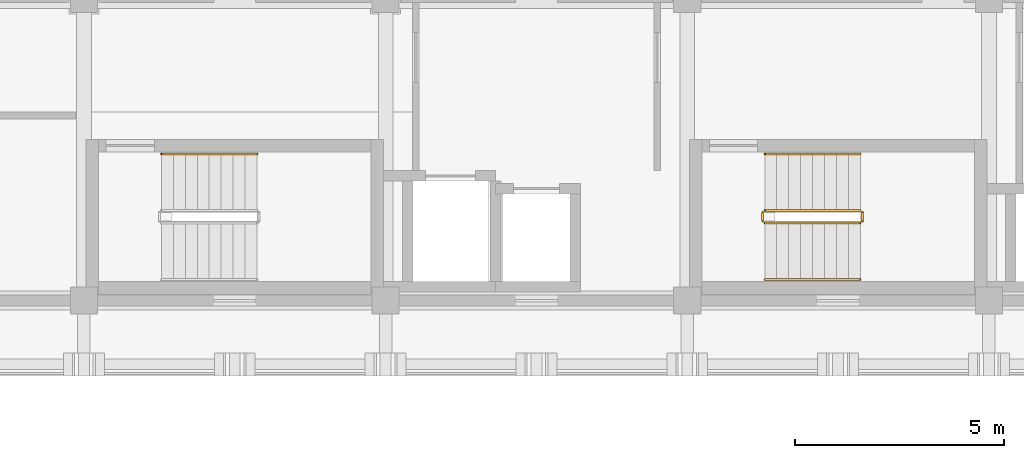
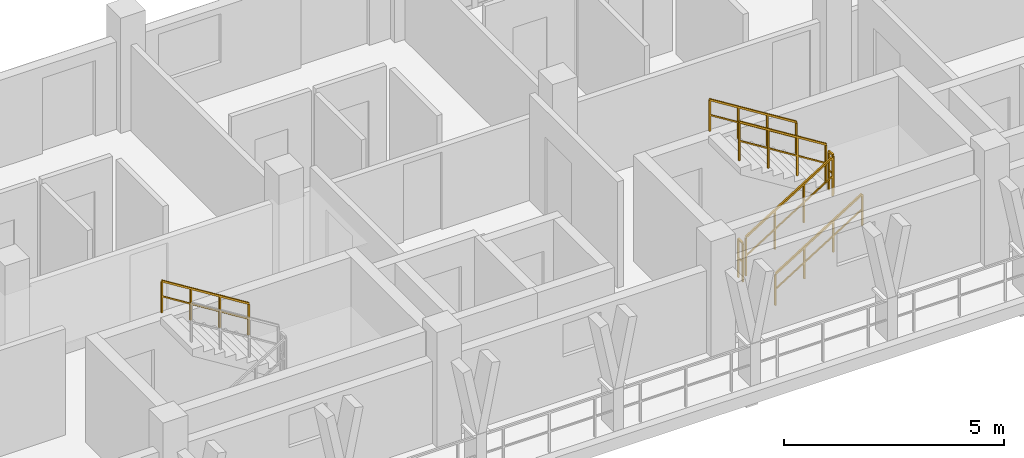
# One storey, part 70 of 78: 7 railings.
"""IFC4 building model written with IfcOpenShell, lengths in metres."""

from ifc_helpers import new_model, si_unit, direction, frame, origin, origin_2d, place, context, subcontext, project, spatial, rectangle, extrude, material, type_object, element, save


model = new_model("IFC4")

# Units and contexts
model_context = context("Model", 3, precision=1e-05, world=origin(), true_north=direction((0.0, 1.0)))
body_context = subcontext(model_context, "Body", "Model", "MODEL_VIEW")
ifc_project = project(units=[si_unit("LENGTHUNIT", "METRE"), si_unit("AREAUNIT", "SQUARE_METRE"), si_unit("VOLUMEUNIT", "CUBIC_METRE"), si_unit("PLANEANGLEUNIT", "RADIAN"), si_unit("MASSUNIT", "GRAM", prefix="KILO")], contexts=[model_context])

# Site, building, storey
site_placement = place(None, origin())
site = spatial("IfcSite", under=ifc_project, at=site_placement, CompositionType="ELEMENT")
building_placement = place(site_placement, origin())
building = spatial("IfcBuilding", under=site, at=building_placement, Name="Suanplinth Sawtooth Commons", CompositionType="ELEMENT")
storey_placement = place(building_placement, frame((0.0, 0.0, 15.39990234375)))
storey = spatial("IfcBuildingStorey", under=building, at=storey_placement, Name="L04", CompositionType="ELEMENT", Elevation=15.39990234375)

# Railings
ifc_material = material(Name="Stainless steel Grade 304", Category="steel")
railing_type_1 = type_object("IfcRailingType", Name="GR-04", PredefinedType="GUARDRAIL", material=ifc_material)
railing_1_placement = place(storey_placement, frame((59.449951171875, 109.85009765625, 0.177978515625)))
element("IfcRailing", 1, at=railing_1_placement, inside=storey, type_object=railing_type_1, Name="L04 ST-N2 Guard 1", PredefinedType="GUARDRAIL", context=body_context, shape_type="SweptSolid", body=[
    extrude(rectangle(XDim=0.048095703125, YDim=0.048095703125, at=origin_2d()), frame((0.0, 0.0, 1.076171875), z_axis=(0.848482842525, 0.0, 0.529222888715), x_axis=(0.0, 1.0, 0.0)), (0.0, 0.0, 1.0), 2.687255859375),
    extrude(rectangle(XDim=0.03369140625, YDim=0.03369140625, at=origin_2d()), frame((0.0, 0.0, 0.550048828125), z_axis=(0.848482842525, 0.0, 0.529222888715), x_axis=(0.0, 1.0, 0.0)), (0.0, 0.0, 1.0), 2.687255859375),
    extrude(rectangle(XDim=0.0419921875, YDim=0.0419921875, at=origin_2d()), origin(), (0.0, 0.0, 1.0), 1.052001953125),
    extrude(rectangle(XDim=0.0419921875, YDim=0.0419921875, at=origin_2d()), frame((0.760009765625, 0.0, 0.47412109375)), (0.0, 0.0, 1.0), 1.052001953125),
    extrude(rectangle(XDim=0.0419921875, YDim=0.0419921875, at=origin_2d()), frame((1.52001953125, 0.0, 0.947998046875)), (0.0, 0.0, 1.0), 1.052001953125),
    extrude(rectangle(XDim=0.0419921875, YDim=0.0419921875, at=origin_2d()), frame((2.280029296875, 0.0, 1.422119140625)), (0.0, 0.0, 1.0), 1.052001953125),
])
railing_2_placement = place(storey_placement, frame((61.780029296875, 109.89990234375, 1.60009765625)))
element("IfcRailing", 2, at=railing_2_placement, inside=storey, type_object=railing_type_1, Name="L04 ST-N2 Guard 2", PredefinedType="GUARDRAIL", context=body_context, shape_type="SweptSolid", body=[
    extrude(rectangle(XDim=0.048095703125, YDim=0.048095703125, at=origin_2d()), frame((0.0, 0.0, 1.076171875), z_axis=(0.0, 1.0, 0.0), x_axis=(-1.0, 0.0, 0.0)), (0.0, 0.0, 1.0), 0.2001953125),
    extrude(rectangle(XDim=0.03369140625, YDim=0.03369140625, at=origin_2d()), frame((0.0, 0.0, 0.550048828125), z_axis=(0.0, 1.0, 0.0), x_axis=(-1.0, 0.0, 0.0)), (0.0, 0.0, 1.0), 0.2001953125),
    extrude(rectangle(XDim=0.0419921875, YDim=0.0419921875, at=origin_2d()), origin(), (0.0, 0.0, 1.0), 1.052001953125),
    extrude(rectangle(XDim=0.0419921875, YDim=0.0419921875, at=origin_2d()), frame((0.0, 0.2001953125, 0.0)), (0.0, 0.0, 1.0), 1.052001953125),
])
railing_3_placement = place(storey_placement, frame((61.72998046875, 110.14990234375, 1.77783203125)))
element("IfcRailing", 3, at=railing_3_placement, inside=storey, type_object=railing_type_1, Name="L04 ST-N2 Guard 3", PredefinedType="GUARDRAIL", context=body_context, shape_type="SweptSolid", body=[
    extrude(rectangle(XDim=0.048095703125, YDim=0.048095703125, at=origin_2d()), frame((0.0, 0.0, 1.076171875), z_axis=(-0.848442045328, 0.0, 0.529288291689), x_axis=(0.0, -1.0, 0.0)), (0.0, 0.0, 1.0), 2.687255859375),
    extrude(rectangle(XDim=0.03369140625, YDim=0.03369140625, at=origin_2d()), frame((0.0, 0.0, 0.550048828125), z_axis=(-0.848442045328, 0.0, 0.529288291689), x_axis=(0.0, -1.0, 0.0)), (0.0, 0.0, 1.0), 2.687255859375),
    extrude(rectangle(XDim=0.0419921875, YDim=0.0419921875, at=origin_2d()), origin(), (0.0, 0.0, 1.0), 1.052001953125),
    extrude(rectangle(XDim=0.0419921875, YDim=0.0419921875, at=origin_2d()), frame((-0.760009765625, 0.0, 0.47412109375)), (0.0, 0.0, 1.0), 1.052001953125),
    extrude(rectangle(XDim=0.0419921875, YDim=0.0419921875, at=origin_2d()), frame((-1.52001953125, 0.0, 0.9482421875)), (0.0, 0.0, 1.0), 1.052001953125),
    extrude(rectangle(XDim=0.0419921875, YDim=0.0419921875, at=origin_2d()), frame((-2.280029296875, 0.0, 1.42236328125)), (0.0, 0.0, 1.0), 1.052001953125),
])
railing_4_placement = place(storey_placement, frame((59.39990234375, 109.89990234375, 0.0)))
element("IfcRailing", 4, at=railing_4_placement, inside=storey, type_object=railing_type_1, Name="L04 ST-N2 Guard 4", PredefinedType="GUARDRAIL", context=body_context, shape_type="SweptSolid", body=[
    extrude(rectangle(XDim=0.048095703125, YDim=0.048095703125, at=origin_2d()), frame((0.0, 0.0, 1.076171875), z_axis=(0.0, 1.0, 0.0), x_axis=(-1.0, 0.0, 0.0)), (0.0, 0.0, 1.0), 0.2001953125),
    extrude(rectangle(XDim=0.03369140625, YDim=0.03369140625, at=origin_2d()), frame((0.0, 0.0, 0.550048828125), z_axis=(0.0, 1.0, 0.0), x_axis=(-1.0, 0.0, 0.0)), (0.0, 0.0, 1.0), 0.2001953125),
    extrude(rectangle(XDim=0.0419921875, YDim=0.0419921875, at=origin_2d()), origin(), (0.0, 0.0, 1.0), 1.052001953125),
    extrude(rectangle(XDim=0.0419921875, YDim=0.0419921875, at=origin_2d()), frame((0.0, 0.2001953125, 0.0)), (0.0, 0.0, 1.0), 1.052001953125),
])
railing_type_2 = type_object("IfcRailingType", Name="HR-01", PredefinedType="HANDRAIL", material=ifc_material)
railing_5_placement = place(storey_placement, frame((47.330078125, 111.5, 1.77783203125)))
element("IfcRailing", 5, at=railing_5_placement, inside=storey, type_object=railing_type_2, Name="L04 ST-N1 Handrail 2", PredefinedType="HANDRAIL", context=body_context, shape_type="SweptSolid", body=[
    extrude(rectangle(XDim=0.048095703125, YDim=0.048095703125, at=origin_2d()), frame((0.0, 0.0, 0.8759765625), z_axis=(-0.848442045328, 0.0, 0.529288291689), x_axis=(0.0, -1.0, 0.0)), (0.0, 0.0, 1.0), 2.687255859375),
    extrude(rectangle(XDim=0.03369140625, YDim=0.03369140625, at=origin_2d()), frame((0.0, 0.0, 0.449951171875), z_axis=(-0.848442045328, 0.0, 0.529288291689), x_axis=(0.0, -1.0, 0.0)), (0.0, 0.0, 1.0), 2.687255859375),
    extrude(rectangle(XDim=0.0419921875, YDim=0.0419921875, at=origin_2d()), origin(), (0.0, 0.0, 1.0), 0.851806640625),
    extrude(rectangle(XDim=0.0419921875, YDim=0.0419921875, at=origin_2d()), frame((-0.760009765625, 0.0, 0.47412109375)), (0.0, 0.0, 1.0), 0.851806640625),
    extrude(rectangle(XDim=0.0419921875, YDim=0.0419921875, at=origin_2d()), frame((-1.52001953125, 0.0, 0.9482421875)), (0.0, 0.0, 1.0), 0.851806640625),
    extrude(rectangle(XDim=0.0419921875, YDim=0.0419921875, at=origin_2d()), frame((-2.280029296875, 0.0, 1.42236328125)), (0.0, 0.0, 1.0), 0.851806640625),
])
railing_6_placement = place(storey_placement, frame((59.449951171875, 108.5, 0.177978515625)))
element("IfcRailing", 6, at=railing_6_placement, inside=storey, type_object=railing_type_2, Name="L04 ST-N2 Handrail 1", PredefinedType="HANDRAIL", context=body_context, shape_type="SweptSolid", body=[
    extrude(rectangle(XDim=0.048095703125, YDim=0.048095703125, at=origin_2d()), frame((0.0, 0.0, 0.8759765625), z_axis=(0.848482842525, 0.0, 0.529222888715), x_axis=(0.0, 1.0, 0.0)), (0.0, 0.0, 1.0), 2.687255859375),
    extrude(rectangle(XDim=0.03369140625, YDim=0.03369140625, at=origin_2d()), frame((0.0, 0.0, 0.449951171875), z_axis=(0.848482842525, 0.0, 0.529222888715), x_axis=(0.0, 1.0, 0.0)), (0.0, 0.0, 1.0), 2.687255859375),
    extrude(rectangle(XDim=0.0419921875, YDim=0.0419921875, at=origin_2d()), origin(), (0.0, 0.0, 1.0), 0.851806640625),
    extrude(rectangle(XDim=0.0419921875, YDim=0.0419921875, at=origin_2d()), frame((0.760009765625, 0.0, 0.47412109375)), (0.0, 0.0, 1.0), 0.851806640625),
    extrude(rectangle(XDim=0.0419921875, YDim=0.0419921875, at=origin_2d()), frame((1.52001953125, 0.0, 0.947998046875)), (0.0, 0.0, 1.0), 0.851806640625),
    extrude(rectangle(XDim=0.0419921875, YDim=0.0419921875, at=origin_2d()), frame((2.280029296875, 0.0, 1.422119140625)), (0.0, 0.0, 1.0), 0.851806640625),
])
railing_7_placement = place(storey_placement, frame((61.72998046875, 111.5, 1.77783203125)))
element("IfcRailing", 7, at=railing_7_placement, inside=storey, type_object=railing_type_2, Name="L04 ST-N2 Handrail 2", PredefinedType="HANDRAIL", context=body_context, shape_type="SweptSolid", body=[
    extrude(rectangle(XDim=0.048095703125, YDim=0.048095703125, at=origin_2d()), frame((0.0, 0.0, 0.8759765625), z_axis=(-0.848442045328, 0.0, 0.529288291689), x_axis=(0.0, -1.0, 0.0)), (0.0, 0.0, 1.0), 2.687255859375),
    extrude(rectangle(XDim=0.03369140625, YDim=0.03369140625, at=origin_2d()), frame((0.0, 0.0, 0.449951171875), z_axis=(-0.848442045328, 0.0, 0.529288291689), x_axis=(0.0, -1.0, 0.0)), (0.0, 0.0, 1.0), 2.687255859375),
    extrude(rectangle(XDim=0.0419921875, YDim=0.0419921875, at=origin_2d()), origin(), (0.0, 0.0, 1.0), 0.851806640625),
    extrude(rectangle(XDim=0.0419921875, YDim=0.0419921875, at=origin_2d()), frame((-0.760009765625, 0.0, 0.47412109375)), (0.0, 0.0, 1.0), 0.851806640625),
    extrude(rectangle(XDim=0.0419921875, YDim=0.0419921875, at=origin_2d()), frame((-1.52001953125, 0.0, 0.9482421875)), (0.0, 0.0, 1.0), 0.851806640625),
    extrude(rectangle(XDim=0.0419921875, YDim=0.0419921875, at=origin_2d()), frame((-2.280029296875, 0.0, 1.42236328125)), (0.0, 0.0, 1.0), 0.851806640625),
])

save(model, "model.ifc")
